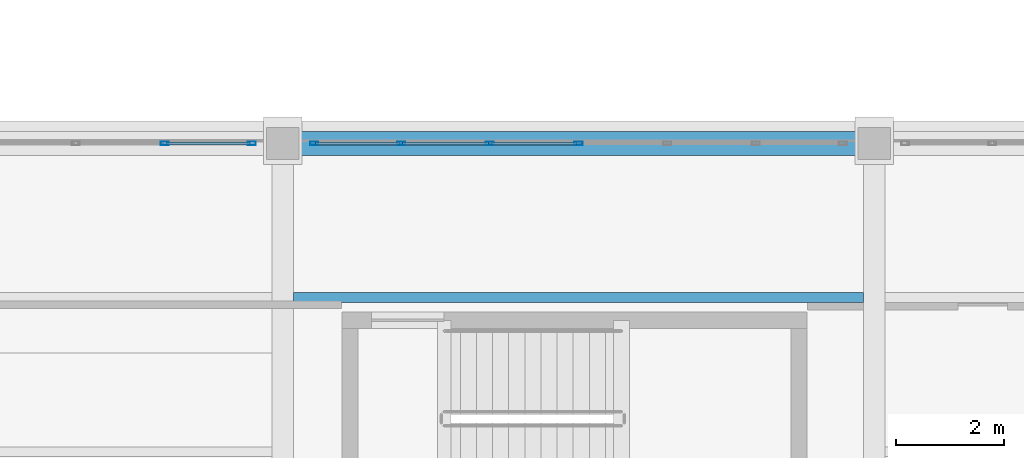
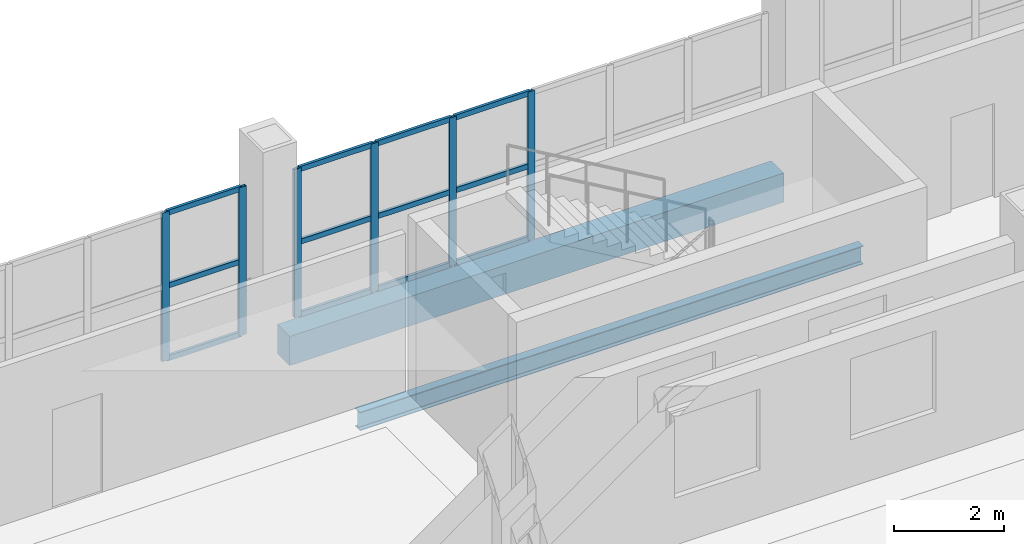
# One storey, part 55 of 120: 18 members, 2 beams, 2 elements without a shape of their own.
"""IFC4 building model written with IfcOpenShell, lengths in metres."""

import ifcopenshell
import ifcopenshell.guid

model = None  # the IFC model being written
_history = None  # IfcOwnerHistory: only IFC2X3 demands one
_inside = {}  # id of a spatial element -> (the spatial element, [elements in it])
_under = {}  # id of a project, library or spatial element -> (it, [spatial elements below it])
_declared = {}  # id of a project -> (the project, [libraries it declares])
_typed = {}  # id of a type object -> (the type object, [elements of that type])
_made_of = {}  # id of a material, layer set ... -> (it, [elements and type objects made of it])


def new_model(schema):
    """Start an empty IFC model of exactly this schema.

    Asked for "IFC4X3", IfcOpenShell would pick the latest addendum, in which some entities
    have other attributes; the version numbers below select the first issue.
    IFC2X3 requires an IfcOwnerHistory on every rooted entity: one is made here for all.
    """
    global model, _history
    if schema == "IFC4X3":
        model = ifcopenshell.file(schema_version=(4, 3, 0, 0))
    else:
        model = ifcopenshell.file(schema=schema)
    _inside.clear()
    _under.clear()
    _declared.clear()
    _typed.clear()
    _made_of.clear()
    _history = None
    if model.schema == "IFC2X3":
        org = make("IfcOrganization", Name="unknown")
        user = make(
            "IfcPersonAndOrganization",
            ThePerson=make("IfcPerson", FamilyName="unknown"),
            TheOrganization=org,
        )
        app = make(
            "IfcApplication",
            ApplicationDeveloper=org,
            Version="unknown",
            ApplicationFullName="unknown",
            ApplicationIdentifier="unknown",
        )
        _history = make(
            "IfcOwnerHistory",
            OwningUser=user,
            OwningApplication=app,
            ChangeAction="ADDED",
            CreationDate=0,
        )
    return model


def make(cls, **values):
    """One entity of the class cls with the attributes given. An attribute that is None is left unset."""
    return model.create_entity(
        cls, **{name: value for name, value in values.items() if value is not None}
    )


def rooted(cls, **values):
    """An entity with a GlobalId (a new one), such as an element, a storey or a relation."""
    return make(cls, GlobalId=ifcopenshell.guid.new(), OwnerHistory=_history, **values)


def si_unit(unit_type, name, prefix=None):
    """IfcSIUnit, for example si_unit("LENGTHUNIT", "METRE", prefix="MILLI")."""
    return make("IfcSIUnit", UnitType=unit_type, Prefix=prefix, Name=name)


def assignment(units):
    """IfcUnitAssignment: the units of a project."""
    return None if units is None else make("IfcUnitAssignment", Units=units)


def point(xyz):
    """IfcCartesianPoint."""
    return None if xyz is None else make("IfcCartesianPoint", Coordinates=xyz)


def direction(xyz):
    """IfcDirection."""
    return None if xyz is None else make("IfcDirection", DirectionRatios=xyz)


def frame(location, z_axis=None, x_axis=None):
    """IfcAxis2Placement3D, a coordinate frame: its origin and axes. An axis left out is left unset."""
    return make(
        "IfcAxis2Placement3D",
        Location=point(location),
        Axis=direction(z_axis),
        RefDirection=direction(x_axis),
    )


def frame_2d(location, x_axis=None):
    """IfcAxis2Placement2D, a coordinate frame in the plane: its origin and x axis."""
    return make(
        "IfcAxis2Placement2D", Location=point(location), RefDirection=direction(x_axis)
    )


def origin():
    """The frame at (0, 0, 0) with its axes left unset."""
    return frame((0.0, 0.0, 0.0))


def origin_2d():
    """The frame at (0, 0) in the plane with its x axis left unset."""
    return frame_2d((0.0, 0.0))


def place(relative_to, where):
    """IfcLocalPlacement: puts the frame where relative to a parent placement (None: the world)."""
    return make(
        "IfcLocalPlacement", PlacementRelTo=relative_to, RelativePlacement=where
    )


def context(
    kind, dimensions, precision=None, world=None, true_north=None, identifier=None
):
    """IfcGeometricRepresentationContext, for example the 3D "Model" context."""
    return make(
        "IfcGeometricRepresentationContext",
        ContextIdentifier=identifier,
        ContextType=kind,
        CoordinateSpaceDimension=dimensions,
        Precision=precision,
        WorldCoordinateSystem=world,
        TrueNorth=true_north,
    )


def subcontext(parent, identifier, kind, view, scale=None):
    """IfcGeometricRepresentationSubContext, for example "Body" below "Model"."""
    return make(
        "IfcGeometricRepresentationSubContext",
        ContextIdentifier=identifier,
        ContextType=kind,
        ParentContext=parent,
        TargetScale=scale,
        TargetView=view,
    )


def project(units=None, contexts=None):
    """IfcProject with its units and contexts."""
    return rooted(
        "IfcProject",
        Name="project",
        RepresentationContexts=contexts,
        UnitsInContext=assignment(units),
    )


def spatial(cls, under=None, at=None, **own):
    """A site, building, storey or space (cls), placed at a placement, below another one or the project."""
    s = rooted(cls, ObjectPlacement=at, **own)
    if under is not None:
        _under.setdefault(under.id(), (under, []))[1].append(s)
    return s


def profile(cls, at=None, kind="AREA", **sizes):
    """A parametric profile (cls). Its sizes go by their IFC names, for example OverallWidth=200.0."""
    return make(cls, ProfileType=kind, Position=at, **sizes)


def rectangle(**sizes):
    """IfcRectangleProfileDef."""
    return profile("IfcRectangleProfileDef", **sizes)


def hollow_rectangle(**sizes):
    """IfcRectangleHollowProfileDef."""
    return profile("IfcRectangleHollowProfileDef", **sizes)


def i_section(**sizes):
    """IfcIShapeProfileDef."""
    return profile("IfcIShapeProfileDef", **sizes)


def extrude(swept, where, along, depth):
    """IfcExtrudedAreaSolid: the profile swept, set in the frame where, extruded along a direction by depth."""
    return make(
        "IfcExtrudedAreaSolid",
        SweptArea=swept,
        Position=where,
        ExtrudedDirection=direction(along),
        Depth=depth,
    )


def shape(context_of_items, identifier, shape_type, items):
    """IfcShapeRepresentation: the items that make up one representation, for example the "Body"."""
    return make(
        "IfcShapeRepresentation",
        ContextOfItems=context_of_items,
        RepresentationIdentifier=identifier,
        RepresentationType=shape_type,
        Items=items,
    )


def material(Name=None, Category=None):
    """IfcMaterial."""
    return make("IfcMaterial", Name=Name, Category=Category)


def material_profile(
    of_material, cross_section, Name=None, Category=None, Priority=None
):
    """IfcMaterialProfile: a cross section and its material."""
    return make(
        "IfcMaterialProfile",
        Name=Name,
        Material=of_material,
        Profile=cross_section,
        Priority=Priority,
        Category=Category,
    )


def profile_set(profiles, Name=None, composite=None):
    """IfcMaterialProfileSet."""
    return make(
        "IfcMaterialProfileSet",
        Name=Name,
        MaterialProfiles=profiles,
        CompositeProfile=composite,
    )


def made_of(thing, what):
    """Note that an element or type object is made of a material, layer set ...; save() writes the relation."""
    if what is not None:
        _made_of.setdefault(what.id(), (what, []))[1].append(thing)
    return thing


def type_object(cls, material=None, **own):
    """A type object (cls), such as IfcWallType, which elements share."""
    return made_of(rooted(cls, **own), material)


def element(
    cls,
    number,
    at=None,
    inside=None,
    cuts=None,
    type_object=None,
    material=None,
    context=None,
    identifier="Body",
    shape_type=None,
    held_by="IfcProductDefinitionShape",
    body=None,
    shapes=None,
    **own,
):
    """One element of the class cls, such as IfcWall. Its Tag is "e" and its number.

    at: its placement. inside: the storey or other place that contains it. cuts: it is an
    opening in that element (IfcRelVoidsElement). A single representation is given by context,
    identifier, shape_type and body (its items); several are given by shapes. held_by: the class
    of the entity that holds the representations. save() writes the other relations.
    """
    e = rooted(cls, Tag="e%d" % number, ObjectPlacement=at, **own)
    if body is not None:
        shapes = [shape(context, identifier, shape_type, body)]
    if shapes is not None:
        e.Representation = make(held_by, Representations=shapes)
    if inside is not None:
        _inside.setdefault(inside.id(), (inside, []))[1].append(e)
    if cuts is not None:
        rooted(
            "IfcRelVoidsElement", RelatingBuildingElement=cuts, RelatedOpeningElement=e
        )
    if type_object is not None:
        _typed.setdefault(type_object.id(), (type_object, []))[1].append(e)
    return made_of(e, material)


def aggregate(whole, parts):
    """IfcRelAggregates: a whole, such as a stair, and the parts it consists of."""
    return rooted("IfcRelAggregates", RelatingObject=whole, RelatedObjects=parts)


def save(model, path):
    """Write the relations noted so far, then the file.

    IfcRelAggregates (storeys below a building ...), IfcRelContainedInSpatialStructure (elements
    in a storey), IfcRelDefinesByType, IfcRelAssociatesMaterial and IfcRelDeclares: one each for
    every whole, place, type object, material and project.
    """
    for whole, parts in _under.values():
        aggregate(whole, parts)
    for where, things in _inside.values():
        rooted(
            "IfcRelContainedInSpatialStructure",
            RelatedElements=things,
            RelatingStructure=where,
        )
    for kind, things in _typed.values():
        rooted("IfcRelDefinesByType", RelatedObjects=things, RelatingType=kind)
    for what, things in _made_of.values():
        rooted("IfcRelAssociatesMaterial", RelatedObjects=things, RelatingMaterial=what)
    for by, libraries in _declared.values():
        rooted("IfcRelDeclares", RelatingContext=by, RelatedDefinitions=libraries)
    model.write(path)


model = new_model("IFC4")

# Units and contexts
model_context = context("Model", 3, precision=1e-05, world=origin(), true_north=direction((0.0, 1.0)))
body_context = subcontext(model_context, "Body", "Model", "MODEL_VIEW")
ifc_project = project(units=[si_unit("LENGTHUNIT", "METRE"), si_unit("AREAUNIT", "SQUARE_METRE"), si_unit("VOLUMEUNIT", "CUBIC_METRE"), si_unit("PLANEANGLEUNIT", "RADIAN"), si_unit("MASSUNIT", "GRAM", prefix="KILO")], contexts=[model_context])

# Site, building, storey
site_placement = place(None, origin())
site = spatial("IfcSite", under=ifc_project, at=site_placement, CompositionType="ELEMENT")
building_placement = place(site_placement, origin())
building = spatial("IfcBuilding", under=site, at=building_placement, Name="Caurita Quay Ferry Terminal", CompositionType="ELEMENT")
storey_placement = place(building_placement, frame((0.0, 0.0, 9.89990234375)))
storey = spatial("IfcBuildingStorey", under=building, at=storey_placement, Name="L02", CompositionType="ELEMENT", Elevation=9.89990234375)

# Beams
ifc_material_1 = material(Name="Structural steel ASTM A992 Gr. 50", Category="steel")
ifc_material_profile_1 = material_profile(ifc_material_1, i_section(OverallWidth=0.1787109375, OverallDepth=0.408935546875, WebThickness=0.0087890625, FlangeThickness=0.014404296875, FilletRadius=0.011474609375, at=origin_2d()), Name="W16X45")
ifc_profile_set_1 = profile_set([ifc_material_profile_1], Name="Structural steel ASTM A992 Gr. 50")
beam_type_1 = type_object("IfcBeamType", Name="BM-JS-W16A", PredefinedType="JOIST", material=ifc_profile_set_1)
beam_1_placement = place(storey_placement, frame((33.199951171875, 77.333251953125, -0.42431640625), z_axis=(1.0, 0.0, 0.0), x_axis=(0.0, 1.0, 0.0)))
element("IfcBeam", 1, at=beam_1_placement, inside=storey, type_object=beam_type_1, Name="L02 Beam JS-V5-L02-028", PredefinedType="JOIST", context=body_context, shape_type="SweptSolid", body=[
    extrude(i_section(OverallWidth=0.1787109375, OverallDepth=0.408935546875, WebThickness=0.0087890625, FlangeThickness=0.014404296875, FilletRadius=0.011474609375, at=origin_2d()), origin(), (0.0, 0.0, 1.0), 10.60009765625),
])
ifc_material_2 = material(Name="Reinforced concrete C35/45", Category="concrete")
ifc_material_profile_2 = material_profile(ifc_material_2, rectangle(XDim=0.449951171875, YDim=0.64990234375, at=origin_2d()), Name="RC-BM-450X650")
ifc_profile_set_2 = profile_set([ifc_material_profile_2], Name="Reinforced concrete C35/45")
beam_type_2 = type_object("IfcBeamType", Name="BM-RC-4565", PredefinedType="BEAM", material=ifc_profile_set_2)
beam_2_placement = place(storey_placement, frame((33.297607421875, 80.199951171875, -0.544921875), z_axis=(1.0, 0.0, 0.0), x_axis=(0.0, 1.0, 0.0)))
element("IfcBeam", 2, at=beam_2_placement, inside=storey, type_object=beam_type_2, Name="L02 Beam BM-V5-L02-X-333-802", PredefinedType="BEAM", context=body_context, shape_type="SweptSolid", body=[
    extrude(rectangle(XDim=0.449951171875, YDim=0.64990234375, at=origin_2d()), origin(), (0.0, 0.0, 1.0), 10.40478515625),
])

# Curtain wall, members
ifc_material_3 = material(Name="Laminated solar-control insulated glass", Category="glass")
curtain_wall_type = type_object("IfcCurtainWallType", Name="CW-SYS-24", PredefinedType="NOTDEFINED", material=ifc_material_3)
curtain_wall_1_placement = place(storey_placement, origin())
curtain_wall_1 = element("IfcCurtainWall", 3, at=curtain_wall_1_placement, inside=storey, type_object=curtain_wall_type, Name="L02 Courtyard Cloister Storefront 164", PredefinedType="NOTDEFINED")
ifc_material_4 = material(Name="Anodized aluminium 6063-T6", Category="aluminium")
ifc_material_profile_3 = material_profile(ifc_material_4, hollow_rectangle(XDim=0.06005859375, YDim=0.14990234375, WallThickness=0.00341796875, at=origin_2d()), Name="ALU-MUL-60X150")
ifc_profile_set_3 = profile_set([ifc_material_profile_3], Name="Anodized aluminium 6063-T6")
member_type_1 = type_object("IfcMemberType", Name="CW-MUL-150", PredefinedType="MULLION", material=ifc_profile_set_3)
member_1_placement = place(storey_placement, frame((30.800048828125, 80.199951171875, 0.0), z_axis=(0.0, 0.0, 1.0), x_axis=(0.0, 1.0, 0.0)))
member_1 = element("IfcMember", 4, at=member_1_placement, type_object=member_type_1, Name="CW-CRT-164 Mullion 6", PredefinedType="MULLION", context=body_context, shape_type="SweptSolid", body=[
    extrude(hollow_rectangle(XDim=0.06005859375, YDim=0.14990234375, WallThickness=0.00341796875, at=origin_2d()), origin(), (0.0, 0.0, 1.0), 3.300048828125),
])
member_2_placement = place(storey_placement, frame((32.419921875, 80.199951171875, 0.0), z_axis=(0.0, 0.0, 1.0), x_axis=(0.0, 1.0, 0.0)))
member_2 = element("IfcMember", 5, at=member_2_placement, type_object=member_type_1, Name="CW-CRT-164 Mullion 7", PredefinedType="MULLION", context=body_context, shape_type="SweptSolid", body=[
    extrude(hollow_rectangle(XDim=0.06005859375, YDim=0.14990234375, WallThickness=0.00341796875, at=origin_2d()), origin(), (0.0, 0.0, 1.0), 3.300048828125),
])

curtain_wall_2_placement = place(storey_placement, origin())
curtain_wall_2 = element("IfcCurtainWall", 6, at=curtain_wall_2_placement, inside=storey, type_object=curtain_wall_type, Name="L02 Courtyard Cloister Storefront 165", PredefinedType="NOTDEFINED")
member_3_placement = place(storey_placement, frame((33.580078125, 80.199951171875, 0.0), z_axis=(0.0, 0.0, 1.0), x_axis=(0.0, 1.0, 0.0)))
member_3 = element("IfcMember", 7, at=member_3_placement, type_object=member_type_1, Name="CW-CRT-165 Mullion 1", PredefinedType="MULLION", context=body_context, shape_type="SweptSolid", body=[
    extrude(hollow_rectangle(XDim=0.06005859375, YDim=0.14990234375, WallThickness=0.00341796875, at=origin_2d()), origin(), (0.0, 0.0, 1.0), 3.300048828125),
])
member_4_placement = place(storey_placement, frame((35.199951171875, 80.199951171875, 0.0), z_axis=(0.0, 0.0, 1.0), x_axis=(0.0, 1.0, 0.0)))
member_4 = element("IfcMember", 8, at=member_4_placement, type_object=member_type_1, Name="CW-CRT-165 Mullion 2", PredefinedType="MULLION", context=body_context, shape_type="SweptSolid", body=[
    extrude(hollow_rectangle(XDim=0.06005859375, YDim=0.14990234375, WallThickness=0.00341796875, at=origin_2d()), origin(), (0.0, 0.0, 1.0), 3.300048828125),
])
member_5_placement = place(storey_placement, frame((36.85009765625, 80.199951171875, 0.0), z_axis=(0.0, 0.0, 1.0), x_axis=(0.0, 1.0, 0.0)))
member_5 = element("IfcMember", 9, at=member_5_placement, type_object=member_type_1, Name="CW-CRT-165 Mullion 3", PredefinedType="MULLION", context=body_context, shape_type="SweptSolid", body=[
    extrude(hollow_rectangle(XDim=0.06005859375, YDim=0.14990234375, WallThickness=0.00341796875, at=origin_2d()), origin(), (0.0, 0.0, 1.0), 3.300048828125),
])
member_6_placement = place(storey_placement, frame((38.5, 80.199951171875, 0.0), z_axis=(0.0, 0.0, 1.0), x_axis=(0.0, 1.0, 0.0)))
member_6 = element("IfcMember", 10, at=member_6_placement, type_object=member_type_1, Name="CW-CRT-165 Mullion 4", PredefinedType="MULLION", context=body_context, shape_type="SweptSolid", body=[
    extrude(hollow_rectangle(XDim=0.06005859375, YDim=0.14990234375, WallThickness=0.00341796875, at=origin_2d()), origin(), (0.0, 0.0, 1.0), 3.300048828125),
])

# Member
ifc_material_profile_4 = material_profile(ifc_material_4, hollow_rectangle(XDim=0.06005859375, YDim=0.114990234375, WallThickness=0.00341796875, at=origin_2d()), Name="ALU-TRN-60X115")
ifc_profile_set_4 = profile_set([ifc_material_profile_4], Name="Anodized aluminium 6063-T6")
member_type_2 = type_object("IfcMemberType", Name="CW-TRN-115", PredefinedType="USERDEFINED", material=ifc_profile_set_4)
member_7_placement = place(storey_placement, frame((30.827880859375, 80.199951171875, 0.030029296875), z_axis=(1.0, 0.0, 0.0), x_axis=(0.0, 1.0, 0.0)))
member_7 = element("IfcMember", 11, at=member_7_placement, type_object=member_type_2, Name="CW-CRT-164 Transom 16", ObjectType="TRANSOM", PredefinedType="USERDEFINED", context=body_context, shape_type="SweptSolid", body=[
    extrude(hollow_rectangle(XDim=0.06005859375, YDim=0.114990234375, WallThickness=0.00341796875, at=origin_2d()), origin(), (0.0, 0.0, 1.0), 1.564208984375),
])

member_8_placement = place(storey_placement, frame((30.827880859375, 80.199951171875, 1.650146484375), z_axis=(1.0, 0.0, 0.0), x_axis=(0.0, 1.0, 0.0)))
member_8 = element("IfcMember", 12, at=member_8_placement, type_object=member_type_2, Name="CW-CRT-164 Transom 17", ObjectType="TRANSOM", PredefinedType="USERDEFINED", context=body_context, shape_type="SweptSolid", body=[
    extrude(hollow_rectangle(XDim=0.06005859375, YDim=0.114990234375, WallThickness=0.00341796875, at=origin_2d()), origin(), (0.0, 0.0, 1.0), 1.564208984375),
])

member_9_placement = place(storey_placement, frame((30.827880859375, 80.199951171875, 3.27001953125), z_axis=(1.0, 0.0, 0.0), x_axis=(0.0, 1.0, 0.0)))
member_9 = element("IfcMember", 13, at=member_9_placement, type_object=member_type_2, Name="CW-CRT-164 Transom 18", ObjectType="TRANSOM", PredefinedType="USERDEFINED", context=body_context, shape_type="SweptSolid", body=[
    extrude(hollow_rectangle(XDim=0.06005859375, YDim=0.114990234375, WallThickness=0.00341796875, at=origin_2d()), origin(), (0.0, 0.0, 1.0), 1.564208984375),
])

aggregate(curtain_wall_1, [member_1, member_2, member_7, member_8, member_9])

member_10_placement = place(storey_placement, frame((33.60791015625, 80.199951171875, 0.030029296875), z_axis=(1.0, 0.0, 0.0), x_axis=(0.0, 1.0, 0.0)))
member_10 = element("IfcMember", 14, at=member_10_placement, type_object=member_type_2, Name="CW-CRT-165 Transom 1", ObjectType="TRANSOM", PredefinedType="USERDEFINED", context=body_context, shape_type="SweptSolid", body=[
    extrude(hollow_rectangle(XDim=0.06005859375, YDim=0.114990234375, WallThickness=0.00341796875, at=origin_2d()), origin(), (0.0, 0.0, 1.0), 1.564208984375),
])

member_11_placement = place(storey_placement, frame((33.60791015625, 80.199951171875, 1.650146484375), z_axis=(1.0, 0.0, 0.0), x_axis=(0.0, 1.0, 0.0)))
member_11 = element("IfcMember", 15, at=member_11_placement, type_object=member_type_2, Name="CW-CRT-165 Transom 2", ObjectType="TRANSOM", PredefinedType="USERDEFINED", context=body_context, shape_type="SweptSolid", body=[
    extrude(hollow_rectangle(XDim=0.06005859375, YDim=0.114990234375, WallThickness=0.00341796875, at=origin_2d()), origin(), (0.0, 0.0, 1.0), 1.564208984375),
])

member_12_placement = place(storey_placement, frame((33.60791015625, 80.199951171875, 3.27001953125), z_axis=(1.0, 0.0, 0.0), x_axis=(0.0, 1.0, 0.0)))
member_12 = element("IfcMember", 16, at=member_12_placement, type_object=member_type_2, Name="CW-CRT-165 Transom 3", ObjectType="TRANSOM", PredefinedType="USERDEFINED", context=body_context, shape_type="SweptSolid", body=[
    extrude(hollow_rectangle(XDim=0.06005859375, YDim=0.114990234375, WallThickness=0.00341796875, at=origin_2d()), origin(), (0.0, 0.0, 1.0), 1.564208984375),
])

member_13_placement = place(storey_placement, frame((35.22802734375, 80.199951171875, 0.030029296875), z_axis=(1.0, 0.0, 0.0), x_axis=(0.0, 1.0, 0.0)))
member_13 = element("IfcMember", 17, at=member_13_placement, type_object=member_type_2, Name="CW-CRT-165 Transom 4", ObjectType="TRANSOM", PredefinedType="USERDEFINED", context=body_context, shape_type="SweptSolid", body=[
    extrude(hollow_rectangle(XDim=0.06005859375, YDim=0.114990234375, WallThickness=0.00341796875, at=origin_2d()), origin(), (0.0, 0.0, 1.0), 1.593994140625),
])

member_14_placement = place(storey_placement, frame((35.22802734375, 80.199951171875, 1.650146484375), z_axis=(1.0, 0.0, 0.0), x_axis=(0.0, 1.0, 0.0)))
member_14 = element("IfcMember", 18, at=member_14_placement, type_object=member_type_2, Name="CW-CRT-165 Transom 5", ObjectType="TRANSOM", PredefinedType="USERDEFINED", context=body_context, shape_type="SweptSolid", body=[
    extrude(hollow_rectangle(XDim=0.06005859375, YDim=0.114990234375, WallThickness=0.00341796875, at=origin_2d()), origin(), (0.0, 0.0, 1.0), 1.593994140625),
])

member_15_placement = place(storey_placement, frame((35.22802734375, 80.199951171875, 3.27001953125), z_axis=(1.0, 0.0, 0.0), x_axis=(0.0, 1.0, 0.0)))
member_15 = element("IfcMember", 19, at=member_15_placement, type_object=member_type_2, Name="CW-CRT-165 Transom 6", ObjectType="TRANSOM", PredefinedType="USERDEFINED", context=body_context, shape_type="SweptSolid", body=[
    extrude(hollow_rectangle(XDim=0.06005859375, YDim=0.114990234375, WallThickness=0.00341796875, at=origin_2d()), origin(), (0.0, 0.0, 1.0), 1.593994140625),
])

member_16_placement = place(storey_placement, frame((36.8779296875, 80.199951171875, 0.030029296875), z_axis=(1.0, 0.0, 0.0), x_axis=(0.0, 1.0, 0.0)))
member_16 = element("IfcMember", 20, at=member_16_placement, type_object=member_type_2, Name="CW-CRT-165 Transom 7", ObjectType="TRANSOM", PredefinedType="USERDEFINED", context=body_context, shape_type="SweptSolid", body=[
    extrude(hollow_rectangle(XDim=0.06005859375, YDim=0.114990234375, WallThickness=0.00341796875, at=origin_2d()), origin(), (0.0, 0.0, 1.0), 1.593994140625),
])

member_17_placement = place(storey_placement, frame((36.8779296875, 80.199951171875, 1.650146484375), z_axis=(1.0, 0.0, 0.0), x_axis=(0.0, 1.0, 0.0)))
member_17 = element("IfcMember", 21, at=member_17_placement, type_object=member_type_2, Name="CW-CRT-165 Transom 8", ObjectType="TRANSOM", PredefinedType="USERDEFINED", context=body_context, shape_type="SweptSolid", body=[
    extrude(hollow_rectangle(XDim=0.06005859375, YDim=0.114990234375, WallThickness=0.00341796875, at=origin_2d()), origin(), (0.0, 0.0, 1.0), 1.593994140625),
])

member_18_placement = place(storey_placement, frame((36.8779296875, 80.199951171875, 3.27001953125), z_axis=(1.0, 0.0, 0.0), x_axis=(0.0, 1.0, 0.0)))
member_18 = element("IfcMember", 22, at=member_18_placement, type_object=member_type_2, Name="CW-CRT-165 Transom 9", ObjectType="TRANSOM", PredefinedType="USERDEFINED", context=body_context, shape_type="SweptSolid", body=[
    extrude(hollow_rectangle(XDim=0.06005859375, YDim=0.114990234375, WallThickness=0.00341796875, at=origin_2d()), origin(), (0.0, 0.0, 1.0), 1.593994140625),
])

aggregate(curtain_wall_2, [member_3, member_4, member_5, member_6, member_10, member_11, member_12, member_13, member_14, member_15, member_16, member_17, member_18])

save(model, "model.ifc")
